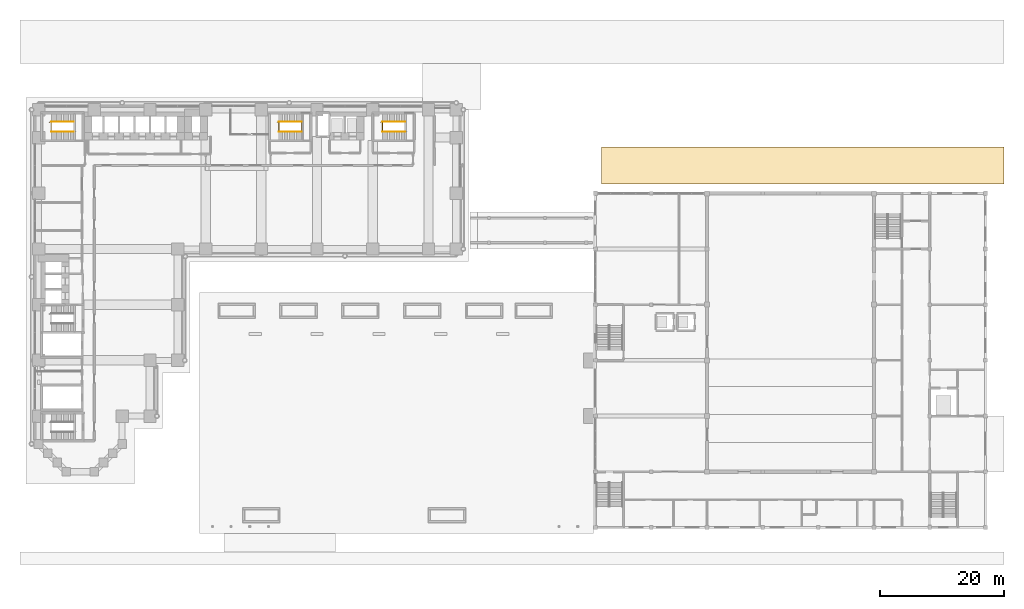
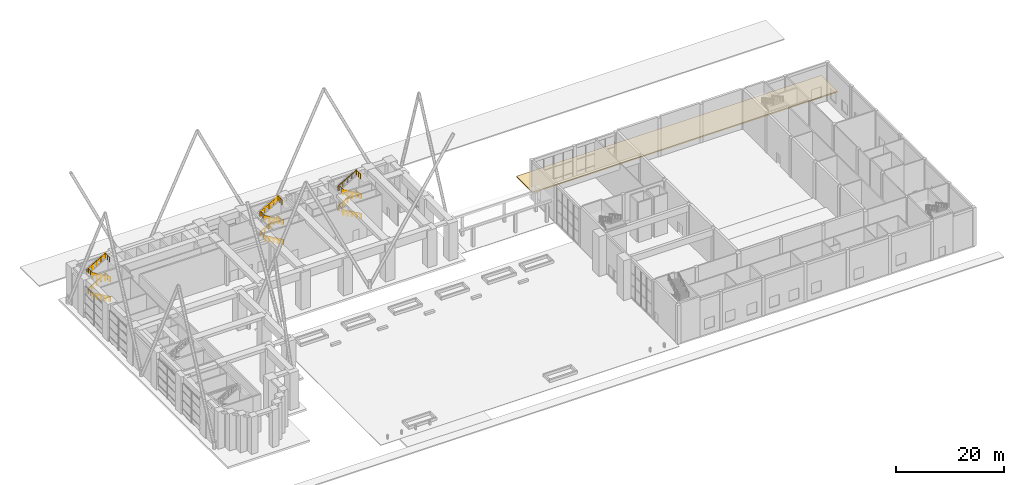
# One storey, part 40 of 44: 14 railings, 1 covering.
"""IFC4 building model written with IfcOpenShell, lengths in metres."""

from ifc_helpers import new_model, si_unit, direction, frame, origin, origin_2d, place, context, subcontext, project, spatial, polyline, circle, outline, extrude, material, layer, layer_set, type_object, element, save


model = new_model("IFC4")

# Units and contexts
model_context = context("Model", 3, precision=1e-05, world=origin(), true_north=direction((0.0, 1.0)))
body_context = subcontext(model_context, "Body", "Model", "MODEL_VIEW")
ifc_project = project(units=[si_unit("LENGTHUNIT", "METRE"), si_unit("AREAUNIT", "SQUARE_METRE"), si_unit("VOLUMEUNIT", "CUBIC_METRE"), si_unit("PLANEANGLEUNIT", "RADIAN"), si_unit("MASSUNIT", "GRAM", prefix="KILO")], contexts=[model_context])

# Site, building, storey
site_placement = place(None, origin())
site = spatial("IfcSite", under=ifc_project, at=site_placement, CompositionType="ELEMENT")
building_placement = place(site_placement, origin())
building = spatial("IfcBuilding", under=site, at=building_placement, Name="Firuza Court", CompositionType="ELEMENT")
storey_placement = place(building_placement, origin())
storey = spatial("IfcBuildingStorey", under=building, at=storey_placement, Name="L00", CompositionType="ELEMENT", Elevation=0.0)

# Covering
ifc_material_1 = material(Name="Asphalt paving")
ifc_layer = layer(ifc_material_1, 0.25)
ifc_layer_set = layer_set([ifc_layer], Name="Asphalt paving")
covering_type = type_object("IfcCoveringType", Name="HALL ROAD PAVING 250", PredefinedType="FLOORING", material=ifc_layer_set)
covering_placement = place(storey_placement, frame((0.0, 0.0, -0.25)))
element("IfcCovering", 1, at=covering_placement, inside=storey, type_object=covering_type, Name="Fire lane and service lane paving", PredefinedType="FLOORING", context=body_context, shape_type="SweptSolid", body=[
    extrude(outline(polyline([(91.0, 52.5), (156.0, 52.5), (156.0, 46.5), (91.0, 46.5), (91.0, 52.5)])), origin(), (0.0, 0.0, 1.0), 0.25),
])

# Railings
ifc_material_2 = material(Name="Steel S355", Category="steel")
railing_type_1 = type_object("IfcRailingType", Name="Handrail 900", PredefinedType="HANDRAIL", material=ifc_material_2)
railing_1_placement = place(storey_placement, frame((42.5, 54.949951171875, 0.16064453125)))
element("IfcRailing", 2, at=railing_1_placement, inside=storey, type_object=railing_type_1, Name="Handrail S1 flight 1", PredefinedType="HANDRAIL", context=body_context, shape_type="SweptSolid", body=[
    extrude(circle(Radius=0.02490234375, at=origin_2d()), frame((0.0, 0.0, 0.875), z_axis=(-0.8672749571, 0.0, 0.497829437445), x_axis=(0.0, -1.0, 0.0)), (0.0, 0.0, 1.0), 4.197021484375),
    extrude(circle(Radius=0.02001953125, at=origin_2d()), origin(), (0.0, 0.0, 1.0), 0.849853515625),
    extrude(circle(Radius=0.02001953125, at=origin_2d()), frame((-0.909912109375, 0.0, 0.5224609375)), (0.0, 0.0, 1.0), 0.849853515625),
    extrude(circle(Radius=0.02001953125, at=origin_2d()), frame((-1.81982421875, 0.0, 1.044677734375)), (0.0, 0.0, 1.0), 0.849853515625),
    extrude(circle(Radius=0.02001953125, at=origin_2d()), frame((-2.72998046875, 0.0, 1.56689453125)), (0.0, 0.0, 1.0), 0.849853515625),
    extrude(circle(Radius=0.02001953125, at=origin_2d()), frame((-3.639892578125, 0.0, 2.08935546875)), (0.0, 0.0, 1.0), 0.849853515625),
])
railing_2_placement = place(storey_placement, frame((38.860107421875, 56.550048828125, 2.41064453125)))
element("IfcRailing", 3, at=railing_2_placement, inside=storey, type_object=railing_type_1, Name="Handrail S1 flight 2", PredefinedType="HANDRAIL", context=body_context, shape_type="SweptSolid", body=[
    extrude(circle(Radius=0.02490234375, at=origin_2d()), frame((0.0, 0.0, 0.875), z_axis=(0.8672749571, 0.0, 0.497829437445), x_axis=(0.0, 1.0, 0.0)), (0.0, 0.0, 1.0), 4.197021484375),
    extrude(circle(Radius=0.02001953125, at=origin_2d()), origin(), (0.0, 0.0, 1.0), 0.849853515625),
    extrude(circle(Radius=0.02001953125, at=origin_2d()), frame((0.909912109375, 0.0, 0.5224609375)), (0.0, 0.0, 1.0), 0.849853515625),
    extrude(circle(Radius=0.02001953125, at=origin_2d()), frame((1.81982421875, 0.0, 1.044677734375)), (0.0, 0.0, 1.0), 0.849853515625),
    extrude(circle(Radius=0.02001953125, at=origin_2d()), frame((2.72998046875, 0.0, 1.56689453125)), (0.0, 0.0, 1.0), 0.849853515625),
    extrude(circle(Radius=0.02001953125, at=origin_2d()), frame((3.639892578125, 0.0, 2.08935546875)), (0.0, 0.0, 1.0), 0.849853515625),
])
railing_3_placement = place(storey_placement, frame((42.5, 54.949951171875, 4.66064453125)))
element("IfcRailing", 4, at=railing_3_placement, inside=storey, type_object=railing_type_1, Name="Handrail S1 flight 3", PredefinedType="HANDRAIL", context=body_context, shape_type="SweptSolid", body=[
    extrude(circle(Radius=0.02490234375, at=origin_2d()), frame((0.0, 0.0, 0.875), z_axis=(-0.8672749571, 0.0, 0.497829437445), x_axis=(0.0, -1.0, 0.0)), (0.0, 0.0, 1.0), 4.197021484375),
    extrude(circle(Radius=0.02001953125, at=origin_2d()), origin(), (0.0, 0.0, 1.0), 0.849853515625),
    extrude(circle(Radius=0.02001953125, at=origin_2d()), frame((-0.909912109375, 0.0, 0.5224609375)), (0.0, 0.0, 1.0), 0.849853515625),
    extrude(circle(Radius=0.02001953125, at=origin_2d()), frame((-1.81982421875, 0.0, 1.044677734375)), (0.0, 0.0, 1.0), 0.849853515625),
    extrude(circle(Radius=0.02001953125, at=origin_2d()), frame((-2.72998046875, 0.0, 1.56689453125)), (0.0, 0.0, 1.0), 0.849853515625),
    extrude(circle(Radius=0.02001953125, at=origin_2d()), frame((-3.639892578125, 0.0, 2.08935546875)), (0.0, 0.0, 1.0), 0.849853515625),
])
railing_4_placement = place(storey_placement, frame((38.860107421875, 56.550048828125, 6.91064453125)))
element("IfcRailing", 5, at=railing_4_placement, inside=storey, type_object=railing_type_1, Name="Handrail S1 flight 4", PredefinedType="HANDRAIL", context=body_context, shape_type="SweptSolid", body=[
    extrude(circle(Radius=0.02490234375, at=origin_2d()), frame((0.0, 0.0, 0.875), z_axis=(0.8672749571, 0.0, 0.497829437445), x_axis=(0.0, 1.0, 0.0)), (0.0, 0.0, 1.0), 4.197021484375),
    extrude(circle(Radius=0.02001953125, at=origin_2d()), origin(), (0.0, 0.0, 1.0), 0.849853515625),
    extrude(circle(Radius=0.02001953125, at=origin_2d()), frame((0.909912109375, 0.0, 0.5224609375)), (0.0, 0.0, 1.0), 0.849853515625),
    extrude(circle(Radius=0.02001953125, at=origin_2d()), frame((1.81982421875, 0.0, 1.044677734375)), (0.0, 0.0, 1.0), 0.849853515625),
    extrude(circle(Radius=0.02001953125, at=origin_2d()), frame((2.72998046875, 0.0, 1.56689453125)), (0.0, 0.0, 1.0), 0.849853515625),
    extrude(circle(Radius=0.02001953125, at=origin_2d()), frame((3.639892578125, 0.0, 2.08935546875)), (0.0, 0.0, 1.0), 0.849853515625),
])
railing_5_placement = place(storey_placement, frame((5.699951171875, 54.949951171875, 0.16064453125)))
element("IfcRailing", 6, at=railing_5_placement, inside=storey, type_object=railing_type_1, Name="Handrail S3 flight 1", PredefinedType="HANDRAIL", context=body_context, shape_type="SweptSolid", body=[
    extrude(circle(Radius=0.02490234375, at=origin_2d()), frame((0.0, 0.0, 0.875), z_axis=(-0.8672749571, 0.0, 0.497829437445), x_axis=(0.0, -1.0, 0.0)), (0.0, 0.0, 1.0), 4.197021484375),
    extrude(circle(Radius=0.02001953125, at=origin_2d()), origin(), (0.0, 0.0, 1.0), 0.849853515625),
    extrude(circle(Radius=0.02001953125, at=origin_2d()), frame((-0.909912109375, 0.0, 0.5224609375)), (0.0, 0.0, 1.0), 0.849853515625),
    extrude(circle(Radius=0.02001953125, at=origin_2d()), frame((-1.81982421875, 0.0, 1.044677734375)), (0.0, 0.0, 1.0), 0.849853515625),
    extrude(circle(Radius=0.02001953125, at=origin_2d()), frame((-2.72998046875, 0.0, 1.56689453125)), (0.0, 0.0, 1.0), 0.849853515625),
    extrude(circle(Radius=0.02001953125, at=origin_2d()), frame((-3.639892578125, 0.0, 2.08935546875)), (0.0, 0.0, 1.0), 0.849853515625),
])
railing_6_placement = place(storey_placement, frame((2.06005859375, 56.550048828125, 2.41064453125)))
element("IfcRailing", 7, at=railing_6_placement, inside=storey, type_object=railing_type_1, Name="Handrail S3 flight 2", PredefinedType="HANDRAIL", context=body_context, shape_type="SweptSolid", body=[
    extrude(circle(Radius=0.02490234375, at=origin_2d()), frame((0.0, 0.0, 0.875), z_axis=(0.8672749571, 0.0, 0.497829437445), x_axis=(0.0, 1.0, 0.0)), (0.0, 0.0, 1.0), 4.197021484375),
    extrude(circle(Radius=0.02001953125, at=origin_2d()), origin(), (0.0, 0.0, 1.0), 0.849853515625),
    extrude(circle(Radius=0.02001953125, at=origin_2d()), frame((0.909912109375, 0.0, 0.5224609375)), (0.0, 0.0, 1.0), 0.849853515625),
    extrude(circle(Radius=0.02001953125, at=origin_2d()), frame((1.81982421875, 0.0, 1.044677734375)), (0.0, 0.0, 1.0), 0.849853515625),
    extrude(circle(Radius=0.02001953125, at=origin_2d()), frame((2.72998046875, 0.0, 1.56689453125)), (0.0, 0.0, 1.0), 0.849853515625),
    extrude(circle(Radius=0.02001953125, at=origin_2d()), frame((3.639892578125, 0.0, 2.08935546875)), (0.0, 0.0, 1.0), 0.849853515625),
])
railing_7_placement = place(storey_placement, frame((5.699951171875, 54.949951171875, 4.66064453125)))
element("IfcRailing", 8, at=railing_7_placement, inside=storey, type_object=railing_type_1, Name="Handrail S3 flight 3", PredefinedType="HANDRAIL", context=body_context, shape_type="SweptSolid", body=[
    extrude(circle(Radius=0.02490234375, at=origin_2d()), frame((0.0, 0.0, 0.875), z_axis=(-0.8672749571, 0.0, 0.497829437445), x_axis=(0.0, -1.0, 0.0)), (0.0, 0.0, 1.0), 4.197021484375),
    extrude(circle(Radius=0.02001953125, at=origin_2d()), origin(), (0.0, 0.0, 1.0), 0.849853515625),
    extrude(circle(Radius=0.02001953125, at=origin_2d()), frame((-0.909912109375, 0.0, 0.5224609375)), (0.0, 0.0, 1.0), 0.849853515625),
    extrude(circle(Radius=0.02001953125, at=origin_2d()), frame((-1.81982421875, 0.0, 1.044677734375)), (0.0, 0.0, 1.0), 0.849853515625),
    extrude(circle(Radius=0.02001953125, at=origin_2d()), frame((-2.72998046875, 0.0, 1.56689453125)), (0.0, 0.0, 1.0), 0.849853515625),
    extrude(circle(Radius=0.02001953125, at=origin_2d()), frame((-3.639892578125, 0.0, 2.08935546875)), (0.0, 0.0, 1.0), 0.849853515625),
])
railing_8_placement = place(storey_placement, frame((2.06005859375, 56.550048828125, 6.91064453125)))
element("IfcRailing", 9, at=railing_8_placement, inside=storey, type_object=railing_type_1, Name="Handrail S3 flight 4", PredefinedType="HANDRAIL", context=body_context, shape_type="SweptSolid", body=[
    extrude(circle(Radius=0.02490234375, at=origin_2d()), frame((0.0, 0.0, 0.875), z_axis=(0.8672749571, 0.0, 0.497829437445), x_axis=(0.0, 1.0, 0.0)), (0.0, 0.0, 1.0), 4.197021484375),
    extrude(circle(Radius=0.02001953125, at=origin_2d()), origin(), (0.0, 0.0, 1.0), 0.849853515625),
    extrude(circle(Radius=0.02001953125, at=origin_2d()), frame((0.909912109375, 0.0, 0.5224609375)), (0.0, 0.0, 1.0), 0.849853515625),
    extrude(circle(Radius=0.02001953125, at=origin_2d()), frame((1.81982421875, 0.0, 1.044677734375)), (0.0, 0.0, 1.0), 0.849853515625),
    extrude(circle(Radius=0.02001953125, at=origin_2d()), frame((2.72998046875, 0.0, 1.56689453125)), (0.0, 0.0, 1.0), 0.849853515625),
    extrude(circle(Radius=0.02001953125, at=origin_2d()), frame((3.639892578125, 0.0, 2.08935546875)), (0.0, 0.0, 1.0), 0.849853515625),
])
railing_9_placement = place(storey_placement, frame((59.199951171875, 54.949951171875, 0.16064453125)))
element("IfcRailing", 10, at=railing_9_placement, inside=storey, type_object=railing_type_1, Name="Handrail S4 flight 1", PredefinedType="HANDRAIL", context=body_context, shape_type="SweptSolid", body=[
    extrude(circle(Radius=0.02490234375, at=origin_2d()), frame((0.0, 0.0, 0.875), z_axis=(-0.8672749571, 0.0, 0.497829437445), x_axis=(0.0, -1.0, 0.0)), (0.0, 0.0, 1.0), 4.197021484375),
    extrude(circle(Radius=0.02001953125, at=origin_2d()), origin(), (0.0, 0.0, 1.0), 0.849853515625),
    extrude(circle(Radius=0.02001953125, at=origin_2d()), frame((-0.909912109375, 0.0, 0.5224609375)), (0.0, 0.0, 1.0), 0.849853515625),
    extrude(circle(Radius=0.02001953125, at=origin_2d()), frame((-1.81982421875, 0.0, 1.044677734375)), (0.0, 0.0, 1.0), 0.849853515625),
    extrude(circle(Radius=0.02001953125, at=origin_2d()), frame((-2.72998046875, 0.0, 1.56689453125)), (0.0, 0.0, 1.0), 0.849853515625),
    extrude(circle(Radius=0.02001953125, at=origin_2d()), frame((-3.639892578125, 0.0, 2.08935546875)), (0.0, 0.0, 1.0), 0.849853515625),
])
railing_10_placement = place(storey_placement, frame((55.56005859375, 56.550048828125, 2.41064453125)))
element("IfcRailing", 11, at=railing_10_placement, inside=storey, type_object=railing_type_1, Name="Handrail S4 flight 2", PredefinedType="HANDRAIL", context=body_context, shape_type="SweptSolid", body=[
    extrude(circle(Radius=0.02490234375, at=origin_2d()), frame((0.0, 0.0, 0.875), z_axis=(0.8672749571, 0.0, 0.497829437445), x_axis=(0.0, 1.0, 0.0)), (0.0, 0.0, 1.0), 4.197021484375),
    extrude(circle(Radius=0.02001953125, at=origin_2d()), origin(), (0.0, 0.0, 1.0), 0.849853515625),
    extrude(circle(Radius=0.02001953125, at=origin_2d()), frame((0.909912109375, 0.0, 0.5224609375)), (0.0, 0.0, 1.0), 0.849853515625),
    extrude(circle(Radius=0.02001953125, at=origin_2d()), frame((1.81982421875, 0.0, 1.044677734375)), (0.0, 0.0, 1.0), 0.849853515625),
    extrude(circle(Radius=0.02001953125, at=origin_2d()), frame((2.72998046875, 0.0, 1.56689453125)), (0.0, 0.0, 1.0), 0.849853515625),
    extrude(circle(Radius=0.02001953125, at=origin_2d()), frame((3.639892578125, 0.0, 2.08935546875)), (0.0, 0.0, 1.0), 0.849853515625),
])
railing_11_placement = place(storey_placement, frame((59.199951171875, 54.949951171875, 4.66064453125)))
element("IfcRailing", 12, at=railing_11_placement, inside=storey, type_object=railing_type_1, Name="Handrail S4 flight 3", PredefinedType="HANDRAIL", context=body_context, shape_type="SweptSolid", body=[
    extrude(circle(Radius=0.02490234375, at=origin_2d()), frame((0.0, 0.0, 0.875), z_axis=(-0.8672749571, 0.0, 0.497829437445), x_axis=(0.0, -1.0, 0.0)), (0.0, 0.0, 1.0), 4.197021484375),
    extrude(circle(Radius=0.02001953125, at=origin_2d()), origin(), (0.0, 0.0, 1.0), 0.849853515625),
    extrude(circle(Radius=0.02001953125, at=origin_2d()), frame((-0.909912109375, 0.0, 0.5224609375)), (0.0, 0.0, 1.0), 0.849853515625),
    extrude(circle(Radius=0.02001953125, at=origin_2d()), frame((-1.81982421875, 0.0, 1.044677734375)), (0.0, 0.0, 1.0), 0.849853515625),
    extrude(circle(Radius=0.02001953125, at=origin_2d()), frame((-2.72998046875, 0.0, 1.56689453125)), (0.0, 0.0, 1.0), 0.849853515625),
    extrude(circle(Radius=0.02001953125, at=origin_2d()), frame((-3.639892578125, 0.0, 2.08935546875)), (0.0, 0.0, 1.0), 0.849853515625),
])
ifc_material_3 = material(Name="Steel S355", Category="steel")
railing_type_2 = type_object("IfcRailingType", Name="Stair guard 1100", PredefinedType="GUARDRAIL", material=ifc_material_3)
railing_12_placement = place(storey_placement, frame((42.780029296875, 55.010009765625, 0.0)))
element("IfcRailing", 13, at=railing_12_placement, inside=storey, type_object=railing_type_2, Name="Stair well guard S1", PredefinedType="GUARDRAIL", context=body_context, shape_type="SweptSolid", body=[
    extrude(circle(Radius=0.02490234375, at=origin_2d()), frame((0.0, 0.0, 1.0751953125), z_axis=(-0.867284192427, 0.0, 0.49781334812), x_axis=(0.0, -1.0, 0.0)), (0.0, 0.0, 1.0), 4.519775390625),
    extrude(circle(Radius=0.02490234375, at=origin_2d()), frame((-3.919921875, 0.0, 3.3251953125), z_axis=(0.0, 1.0, 0.0), x_axis=(-1.0, 0.0, 0.0)), (0.0, 0.0, 1.0), 1.47998046875),
    extrude(circle(Radius=0.02490234375, at=origin_2d()), frame((-3.919921875, 1.47998046875, 3.3251953125), z_axis=(-1.0, 0.0, 0.0), x_axis=(0.0, -1.0, 0.0)), (0.0, 0.0, 1.0), 0.280029296875),
    extrude(circle(Radius=0.02490234375, at=origin_2d()), frame((-4.199951171875, 1.47998046875, 3.3251953125), z_axis=(0.867284192427, 0.0, 0.49781334812), x_axis=(0.0, 1.0, 0.0)), (0.0, 0.0, 1.0), 4.519775390625),
    extrude(circle(Radius=0.02490234375, at=origin_2d()), frame((-0.280029296875, 1.47998046875, 5.5751953125), z_axis=(0.0, -1.0, 0.0), x_axis=(1.0, 0.0, 0.0)), (0.0, 0.0, 1.0), 1.47998046875),
    extrude(circle(Radius=0.02490234375, at=origin_2d()), frame((-0.280029296875, 0.0, 5.5751953125), z_axis=(1.0, 0.0, 0.0), x_axis=(0.0, 1.0, 0.0)), (0.0, 0.0, 1.0), 0.280029296875),
    extrude(circle(Radius=0.02490234375, at=origin_2d()), frame((0.0, 0.0, 5.5751953125), z_axis=(-0.867284192427, 0.0, 0.49781334812), x_axis=(0.0, -1.0, 0.0)), (0.0, 0.0, 1.0), 4.519775390625),
    extrude(circle(Radius=0.02490234375, at=origin_2d()), frame((-3.919921875, 0.0, 7.8251953125), z_axis=(0.0, 1.0, 0.0), x_axis=(-1.0, 0.0, 0.0)), (0.0, 0.0, 1.0), 1.47998046875),
    extrude(circle(Radius=0.02490234375, at=origin_2d()), frame((-3.919921875, 1.47998046875, 7.8251953125), z_axis=(-1.0, 0.0, 0.0), x_axis=(0.0, -1.0, 0.0)), (0.0, 0.0, 1.0), 0.280029296875),
    extrude(circle(Radius=0.02490234375, at=origin_2d()), frame((-4.199951171875, 1.47998046875, 7.8251953125), z_axis=(0.867284192427, 0.0, 0.49781334812), x_axis=(0.0, 1.0, 0.0)), (0.0, 0.0, 1.0), 4.519775390625),
    extrude(circle(Radius=0.02490234375, at=origin_2d()), frame((-0.280029296875, 1.47998046875, 10.0751953125), z_axis=(0.0, -1.0, 0.0), x_axis=(1.0, 0.0, 0.0)), (0.0, 0.0, 1.0), 1.47998046875),
    extrude(circle(Radius=0.02490234375, at=origin_2d()), origin(), (0.0, 0.0, 1.0), 1.050048828125),
    extrude(circle(Radius=0.02490234375, at=origin_2d()), frame((-0.97998046875, 0.0, 0.5625)), (0.0, 0.0, 1.0), 1.050048828125),
    extrude(circle(Radius=0.02490234375, at=origin_2d()), frame((-1.9599609375, 0.0, 1.125)), (0.0, 0.0, 1.0), 1.050048828125),
    extrude(circle(Radius=0.02490234375, at=origin_2d()), frame((-2.93994140625, 0.0, 1.6875)), (0.0, 0.0, 1.0), 1.050048828125),
    extrude(circle(Radius=0.02490234375, at=origin_2d()), frame((-3.919921875, 0.0, 2.25)), (0.0, 0.0, 1.0), 1.050048828125),
    extrude(circle(Radius=0.02490234375, at=origin_2d()), frame((-3.919921875, 0.739990234375, 2.25)), (0.0, 0.0, 1.0), 1.050048828125),
    extrude(circle(Radius=0.02490234375, at=origin_2d()), frame((-3.919921875, 1.47998046875, 2.25)), (0.0, 0.0, 1.0), 1.050048828125),
    extrude(circle(Radius=0.02490234375, at=origin_2d()), frame((-4.199951171875, 1.47998046875, 2.25)), (0.0, 0.0, 1.0), 1.050048828125),
    extrude(circle(Radius=0.02490234375, at=origin_2d()), frame((-3.219970703125, 1.47998046875, 2.8125)), (0.0, 0.0, 1.0), 1.050048828125),
    extrude(circle(Radius=0.02490234375, at=origin_2d()), frame((-2.239990234375, 1.47998046875, 3.375)), (0.0, 0.0, 1.0), 1.050048828125),
    extrude(circle(Radius=0.02490234375, at=origin_2d()), frame((-1.260009765625, 1.47998046875, 3.9375)), (0.0, 0.0, 1.0), 1.050048828125),
    extrude(circle(Radius=0.02490234375, at=origin_2d()), frame((-0.280029296875, 1.47998046875, 4.5)), (0.0, 0.0, 1.0), 1.050048828125),
    extrude(circle(Radius=0.02490234375, at=origin_2d()), frame((-0.280029296875, 0.739990234375, 4.5)), (0.0, 0.0, 1.0), 1.050048828125),
    extrude(circle(Radius=0.02490234375, at=origin_2d()), frame((-0.280029296875, 0.0, 4.5)), (0.0, 0.0, 1.0), 1.050048828125),
    extrude(circle(Radius=0.02490234375, at=origin_2d()), frame((0.0, 0.0, 4.5)), (0.0, 0.0, 1.0), 1.050048828125),
    extrude(circle(Radius=0.02490234375, at=origin_2d()), frame((-0.97998046875, 0.0, 5.0625)), (0.0, 0.0, 1.0), 1.050048828125),
    extrude(circle(Radius=0.02490234375, at=origin_2d()), frame((-1.9599609375, 0.0, 5.625)), (0.0, 0.0, 1.0), 1.050048828125),
    extrude(circle(Radius=0.02490234375, at=origin_2d()), frame((-2.93994140625, 0.0, 6.1875)), (0.0, 0.0, 1.0), 1.050048828125),
    extrude(circle(Radius=0.02490234375, at=origin_2d()), frame((-3.919921875, 0.0, 6.75)), (0.0, 0.0, 1.0), 1.050048828125),
    extrude(circle(Radius=0.02490234375, at=origin_2d()), frame((-3.919921875, 0.739990234375, 6.75)), (0.0, 0.0, 1.0), 1.050048828125),
    extrude(circle(Radius=0.02490234375, at=origin_2d()), frame((-3.919921875, 1.47998046875, 6.75)), (0.0, 0.0, 1.0), 1.050048828125),
    extrude(circle(Radius=0.02490234375, at=origin_2d()), frame((-4.199951171875, 1.47998046875, 6.75)), (0.0, 0.0, 1.0), 1.050048828125),
    extrude(circle(Radius=0.02490234375, at=origin_2d()), frame((-3.219970703125, 1.47998046875, 7.3125)), (0.0, 0.0, 1.0), 1.050048828125),
    extrude(circle(Radius=0.02490234375, at=origin_2d()), frame((-2.239990234375, 1.47998046875, 7.875)), (0.0, 0.0, 1.0), 1.050048828125),
    extrude(circle(Radius=0.02490234375, at=origin_2d()), frame((-1.260009765625, 1.47998046875, 8.4375)), (0.0, 0.0, 1.0), 1.050048828125),
    extrude(circle(Radius=0.02490234375, at=origin_2d()), frame((-0.280029296875, 1.47998046875, 9.0)), (0.0, 0.0, 1.0), 1.050048828125),
    extrude(circle(Radius=0.02490234375, at=origin_2d()), frame((-0.280029296875, 0.739990234375, 9.0)), (0.0, 0.0, 1.0), 1.050048828125),
    extrude(circle(Radius=0.02490234375, at=origin_2d()), frame((-0.280029296875, 0.0, 9.0)), (0.0, 0.0, 1.0), 1.050048828125),
])
railing_13_placement = place(storey_placement, frame((5.97998046875, 55.010009765625, 0.0)))
element("IfcRailing", 14, at=railing_13_placement, inside=storey, type_object=railing_type_2, Name="Stair well guard S3", PredefinedType="GUARDRAIL", context=body_context, shape_type="SweptSolid", body=[
    extrude(circle(Radius=0.02490234375, at=origin_2d()), frame((0.0, 0.0, 1.0751953125), z_axis=(-0.867284192427, 0.0, 0.49781334812), x_axis=(0.0, -1.0, 0.0)), (0.0, 0.0, 1.0), 4.519775390625),
    extrude(circle(Radius=0.02490234375, at=origin_2d()), frame((-3.919921875, 0.0, 3.3251953125), z_axis=(0.0, 1.0, 0.0), x_axis=(-1.0, 0.0, 0.0)), (0.0, 0.0, 1.0), 1.47998046875),
    extrude(circle(Radius=0.02490234375, at=origin_2d()), frame((-3.919921875, 1.47998046875, 3.3251953125), z_axis=(-1.0, 0.0, 0.0), x_axis=(0.0, -1.0, 0.0)), (0.0, 0.0, 1.0), 0.280029296875),
    extrude(circle(Radius=0.02490234375, at=origin_2d()), frame((-4.199951171875, 1.47998046875, 3.3251953125), z_axis=(0.867284192427, 0.0, 0.49781334812), x_axis=(0.0, 1.0, 0.0)), (0.0, 0.0, 1.0), 4.519775390625),
    extrude(circle(Radius=0.02490234375, at=origin_2d()), frame((-0.280029296875, 1.47998046875, 5.5751953125), z_axis=(0.0, -1.0, 0.0), x_axis=(1.0, 0.0, 0.0)), (0.0, 0.0, 1.0), 1.47998046875),
    extrude(circle(Radius=0.02490234375, at=origin_2d()), frame((-0.280029296875, 0.0, 5.5751953125), z_axis=(1.0, 0.0, 0.0), x_axis=(0.0, 1.0, 0.0)), (0.0, 0.0, 1.0), 0.280029296875),
    extrude(circle(Radius=0.02490234375, at=origin_2d()), frame((0.0, 0.0, 5.5751953125), z_axis=(-0.867284192427, 0.0, 0.49781334812), x_axis=(0.0, -1.0, 0.0)), (0.0, 0.0, 1.0), 4.519775390625),
    extrude(circle(Radius=0.02490234375, at=origin_2d()), frame((-3.919921875, 0.0, 7.8251953125), z_axis=(0.0, 1.0, 0.0), x_axis=(-1.0, 0.0, 0.0)), (0.0, 0.0, 1.0), 1.47998046875),
    extrude(circle(Radius=0.02490234375, at=origin_2d()), frame((-3.919921875, 1.47998046875, 7.8251953125), z_axis=(-1.0, 0.0, 0.0), x_axis=(0.0, -1.0, 0.0)), (0.0, 0.0, 1.0), 0.280029296875),
    extrude(circle(Radius=0.02490234375, at=origin_2d()), frame((-4.199951171875, 1.47998046875, 7.8251953125), z_axis=(0.867284192427, 0.0, 0.49781334812), x_axis=(0.0, 1.0, 0.0)), (0.0, 0.0, 1.0), 4.519775390625),
    extrude(circle(Radius=0.02490234375, at=origin_2d()), frame((-0.280029296875, 1.47998046875, 10.0751953125), z_axis=(0.0, -1.0, 0.0), x_axis=(1.0, 0.0, 0.0)), (0.0, 0.0, 1.0), 1.47998046875),
    extrude(circle(Radius=0.02490234375, at=origin_2d()), origin(), (0.0, 0.0, 1.0), 1.050048828125),
    extrude(circle(Radius=0.02490234375, at=origin_2d()), frame((-0.97998046875, 0.0, 0.5625)), (0.0, 0.0, 1.0), 1.050048828125),
    extrude(circle(Radius=0.02490234375, at=origin_2d()), frame((-1.9599609375, 0.0, 1.125)), (0.0, 0.0, 1.0), 1.050048828125),
    extrude(circle(Radius=0.02490234375, at=origin_2d()), frame((-2.93994140625, 0.0, 1.6875)), (0.0, 0.0, 1.0), 1.050048828125),
    extrude(circle(Radius=0.02490234375, at=origin_2d()), frame((-3.919921875, 0.0, 2.25)), (0.0, 0.0, 1.0), 1.050048828125),
    extrude(circle(Radius=0.02490234375, at=origin_2d()), frame((-3.919921875, 0.739990234375, 2.25)), (0.0, 0.0, 1.0), 1.050048828125),
    extrude(circle(Radius=0.02490234375, at=origin_2d()), frame((-3.919921875, 1.47998046875, 2.25)), (0.0, 0.0, 1.0), 1.050048828125),
    extrude(circle(Radius=0.02490234375, at=origin_2d()), frame((-4.199951171875, 1.47998046875, 2.25)), (0.0, 0.0, 1.0), 1.050048828125),
    extrude(circle(Radius=0.02490234375, at=origin_2d()), frame((-3.219970703125, 1.47998046875, 2.8125)), (0.0, 0.0, 1.0), 1.050048828125),
    extrude(circle(Radius=0.02490234375, at=origin_2d()), frame((-2.239990234375, 1.47998046875, 3.375)), (0.0, 0.0, 1.0), 1.050048828125),
    extrude(circle(Radius=0.02490234375, at=origin_2d()), frame((-1.260009765625, 1.47998046875, 3.9375)), (0.0, 0.0, 1.0), 1.050048828125),
    extrude(circle(Radius=0.02490234375, at=origin_2d()), frame((-0.280029296875, 1.47998046875, 4.5)), (0.0, 0.0, 1.0), 1.050048828125),
    extrude(circle(Radius=0.02490234375, at=origin_2d()), frame((-0.280029296875, 0.739990234375, 4.5)), (0.0, 0.0, 1.0), 1.050048828125),
    extrude(circle(Radius=0.02490234375, at=origin_2d()), frame((-0.280029296875, 0.0, 4.5)), (0.0, 0.0, 1.0), 1.050048828125),
    extrude(circle(Radius=0.02490234375, at=origin_2d()), frame((0.0, 0.0, 4.5)), (0.0, 0.0, 1.0), 1.050048828125),
    extrude(circle(Radius=0.02490234375, at=origin_2d()), frame((-0.97998046875, 0.0, 5.0625)), (0.0, 0.0, 1.0), 1.050048828125),
    extrude(circle(Radius=0.02490234375, at=origin_2d()), frame((-1.9599609375, 0.0, 5.625)), (0.0, 0.0, 1.0), 1.050048828125),
    extrude(circle(Radius=0.02490234375, at=origin_2d()), frame((-2.93994140625, 0.0, 6.1875)), (0.0, 0.0, 1.0), 1.050048828125),
    extrude(circle(Radius=0.02490234375, at=origin_2d()), frame((-3.919921875, 0.0, 6.75)), (0.0, 0.0, 1.0), 1.050048828125),
    extrude(circle(Radius=0.02490234375, at=origin_2d()), frame((-3.919921875, 0.739990234375, 6.75)), (0.0, 0.0, 1.0), 1.050048828125),
    extrude(circle(Radius=0.02490234375, at=origin_2d()), frame((-3.919921875, 1.47998046875, 6.75)), (0.0, 0.0, 1.0), 1.050048828125),
    extrude(circle(Radius=0.02490234375, at=origin_2d()), frame((-4.199951171875, 1.47998046875, 6.75)), (0.0, 0.0, 1.0), 1.050048828125),
    extrude(circle(Radius=0.02490234375, at=origin_2d()), frame((-3.219970703125, 1.47998046875, 7.3125)), (0.0, 0.0, 1.0), 1.050048828125),
    extrude(circle(Radius=0.02490234375, at=origin_2d()), frame((-2.239990234375, 1.47998046875, 7.875)), (0.0, 0.0, 1.0), 1.050048828125),
    extrude(circle(Radius=0.02490234375, at=origin_2d()), frame((-1.260009765625, 1.47998046875, 8.4375)), (0.0, 0.0, 1.0), 1.050048828125),
    extrude(circle(Radius=0.02490234375, at=origin_2d()), frame((-0.280029296875, 1.47998046875, 9.0)), (0.0, 0.0, 1.0), 1.050048828125),
    extrude(circle(Radius=0.02490234375, at=origin_2d()), frame((-0.280029296875, 0.739990234375, 9.0)), (0.0, 0.0, 1.0), 1.050048828125),
    extrude(circle(Radius=0.02490234375, at=origin_2d()), frame((-0.280029296875, 0.0, 9.0)), (0.0, 0.0, 1.0), 1.050048828125),
])
railing_14_placement = place(storey_placement, frame((59.47998046875, 55.010009765625, 0.0)))
element("IfcRailing", 15, at=railing_14_placement, inside=storey, type_object=railing_type_2, Name="Stair well guard S4", PredefinedType="GUARDRAIL", context=body_context, shape_type="SweptSolid", body=[
    extrude(circle(Radius=0.02490234375, at=origin_2d()), frame((0.0, 0.0, 1.0751953125), z_axis=(-0.867284192427, 0.0, 0.49781334812), x_axis=(0.0, -1.0, 0.0)), (0.0, 0.0, 1.0), 4.519775390625),
    extrude(circle(Radius=0.02490234375, at=origin_2d()), frame((-3.919921875, 0.0, 3.3251953125), z_axis=(0.0, 1.0, 0.0), x_axis=(-1.0, 0.0, 0.0)), (0.0, 0.0, 1.0), 1.47998046875),
    extrude(circle(Radius=0.02490234375, at=origin_2d()), frame((-3.919921875, 1.47998046875, 3.3251953125), z_axis=(-1.0, 0.0, 0.0), x_axis=(0.0, -1.0, 0.0)), (0.0, 0.0, 1.0), 0.280029296875),
    extrude(circle(Radius=0.02490234375, at=origin_2d()), frame((-4.199951171875, 1.47998046875, 3.3251953125), z_axis=(0.867284192427, 0.0, 0.49781334812), x_axis=(0.0, 1.0, 0.0)), (0.0, 0.0, 1.0), 4.519775390625),
    extrude(circle(Radius=0.02490234375, at=origin_2d()), frame((-0.280029296875, 1.47998046875, 5.5751953125), z_axis=(0.0, -1.0, 0.0), x_axis=(1.0, 0.0, 0.0)), (0.0, 0.0, 1.0), 1.47998046875),
    extrude(circle(Radius=0.02490234375, at=origin_2d()), frame((-0.280029296875, 0.0, 5.5751953125), z_axis=(1.0, 0.0, 0.0), x_axis=(0.0, 1.0, 0.0)), (0.0, 0.0, 1.0), 0.280029296875),
    extrude(circle(Radius=0.02490234375, at=origin_2d()), frame((0.0, 0.0, 5.5751953125), z_axis=(-0.867284192427, 0.0, 0.49781334812), x_axis=(0.0, -1.0, 0.0)), (0.0, 0.0, 1.0), 4.519775390625),
    extrude(circle(Radius=0.02490234375, at=origin_2d()), frame((-3.919921875, 0.0, 7.8251953125), z_axis=(0.0, 1.0, 0.0), x_axis=(-1.0, 0.0, 0.0)), (0.0, 0.0, 1.0), 1.47998046875),
    extrude(circle(Radius=0.02490234375, at=origin_2d()), frame((-3.919921875, 1.47998046875, 7.8251953125), z_axis=(-1.0, 0.0, 0.0), x_axis=(0.0, -1.0, 0.0)), (0.0, 0.0, 1.0), 0.280029296875),
    extrude(circle(Radius=0.02490234375, at=origin_2d()), frame((-4.199951171875, 1.47998046875, 7.8251953125), z_axis=(0.867284192427, 0.0, 0.49781334812), x_axis=(0.0, 1.0, 0.0)), (0.0, 0.0, 1.0), 4.519775390625),
    extrude(circle(Radius=0.02490234375, at=origin_2d()), frame((-0.280029296875, 1.47998046875, 10.0751953125), z_axis=(0.0, -1.0, 0.0), x_axis=(1.0, 0.0, 0.0)), (0.0, 0.0, 1.0), 1.47998046875),
    extrude(circle(Radius=0.02490234375, at=origin_2d()), origin(), (0.0, 0.0, 1.0), 1.050048828125),
    extrude(circle(Radius=0.02490234375, at=origin_2d()), frame((-0.97998046875, 0.0, 0.5625)), (0.0, 0.0, 1.0), 1.050048828125),
    extrude(circle(Radius=0.02490234375, at=origin_2d()), frame((-1.9599609375, 0.0, 1.125)), (0.0, 0.0, 1.0), 1.050048828125),
    extrude(circle(Radius=0.02490234375, at=origin_2d()), frame((-2.93994140625, 0.0, 1.6875)), (0.0, 0.0, 1.0), 1.050048828125),
    extrude(circle(Radius=0.02490234375, at=origin_2d()), frame((-3.919921875, 0.0, 2.25)), (0.0, 0.0, 1.0), 1.050048828125),
    extrude(circle(Radius=0.02490234375, at=origin_2d()), frame((-3.919921875, 0.739990234375, 2.25)), (0.0, 0.0, 1.0), 1.050048828125),
    extrude(circle(Radius=0.02490234375, at=origin_2d()), frame((-3.919921875, 1.47998046875, 2.25)), (0.0, 0.0, 1.0), 1.050048828125),
    extrude(circle(Radius=0.02490234375, at=origin_2d()), frame((-4.199951171875, 1.47998046875, 2.25)), (0.0, 0.0, 1.0), 1.050048828125),
    extrude(circle(Radius=0.02490234375, at=origin_2d()), frame((-3.219970703125, 1.47998046875, 2.8125)), (0.0, 0.0, 1.0), 1.050048828125),
    extrude(circle(Radius=0.02490234375, at=origin_2d()), frame((-2.239990234375, 1.47998046875, 3.375)), (0.0, 0.0, 1.0), 1.050048828125),
    extrude(circle(Radius=0.02490234375, at=origin_2d()), frame((-1.260009765625, 1.47998046875, 3.9375)), (0.0, 0.0, 1.0), 1.050048828125),
    extrude(circle(Radius=0.02490234375, at=origin_2d()), frame((-0.280029296875, 1.47998046875, 4.5)), (0.0, 0.0, 1.0), 1.050048828125),
    extrude(circle(Radius=0.02490234375, at=origin_2d()), frame((-0.280029296875, 0.739990234375, 4.5)), (0.0, 0.0, 1.0), 1.050048828125),
    extrude(circle(Radius=0.02490234375, at=origin_2d()), frame((-0.280029296875, 0.0, 4.5)), (0.0, 0.0, 1.0), 1.050048828125),
    extrude(circle(Radius=0.02490234375, at=origin_2d()), frame((0.0, 0.0, 4.5)), (0.0, 0.0, 1.0), 1.050048828125),
    extrude(circle(Radius=0.02490234375, at=origin_2d()), frame((-0.97998046875, 0.0, 5.0625)), (0.0, 0.0, 1.0), 1.050048828125),
    extrude(circle(Radius=0.02490234375, at=origin_2d()), frame((-1.9599609375, 0.0, 5.625)), (0.0, 0.0, 1.0), 1.050048828125),
    extrude(circle(Radius=0.02490234375, at=origin_2d()), frame((-2.93994140625, 0.0, 6.1875)), (0.0, 0.0, 1.0), 1.050048828125),
    extrude(circle(Radius=0.02490234375, at=origin_2d()), frame((-3.919921875, 0.0, 6.75)), (0.0, 0.0, 1.0), 1.050048828125),
    extrude(circle(Radius=0.02490234375, at=origin_2d()), frame((-3.919921875, 0.739990234375, 6.75)), (0.0, 0.0, 1.0), 1.050048828125),
    extrude(circle(Radius=0.02490234375, at=origin_2d()), frame((-3.919921875, 1.47998046875, 6.75)), (0.0, 0.0, 1.0), 1.050048828125),
    extrude(circle(Radius=0.02490234375, at=origin_2d()), frame((-4.199951171875, 1.47998046875, 6.75)), (0.0, 0.0, 1.0), 1.050048828125),
    extrude(circle(Radius=0.02490234375, at=origin_2d()), frame((-3.219970703125, 1.47998046875, 7.3125)), (0.0, 0.0, 1.0), 1.050048828125),
    extrude(circle(Radius=0.02490234375, at=origin_2d()), frame((-2.239990234375, 1.47998046875, 7.875)), (0.0, 0.0, 1.0), 1.050048828125),
    extrude(circle(Radius=0.02490234375, at=origin_2d()), frame((-1.260009765625, 1.47998046875, 8.4375)), (0.0, 0.0, 1.0), 1.050048828125),
    extrude(circle(Radius=0.02490234375, at=origin_2d()), frame((-0.280029296875, 1.47998046875, 9.0)), (0.0, 0.0, 1.0), 1.050048828125),
    extrude(circle(Radius=0.02490234375, at=origin_2d()), frame((-0.280029296875, 0.739990234375, 9.0)), (0.0, 0.0, 1.0), 1.050048828125),
    extrude(circle(Radius=0.02490234375, at=origin_2d()), frame((-0.280029296875, 0.0, 9.0)), (0.0, 0.0, 1.0), 1.050048828125),
])

save(model, "model.ifc")
